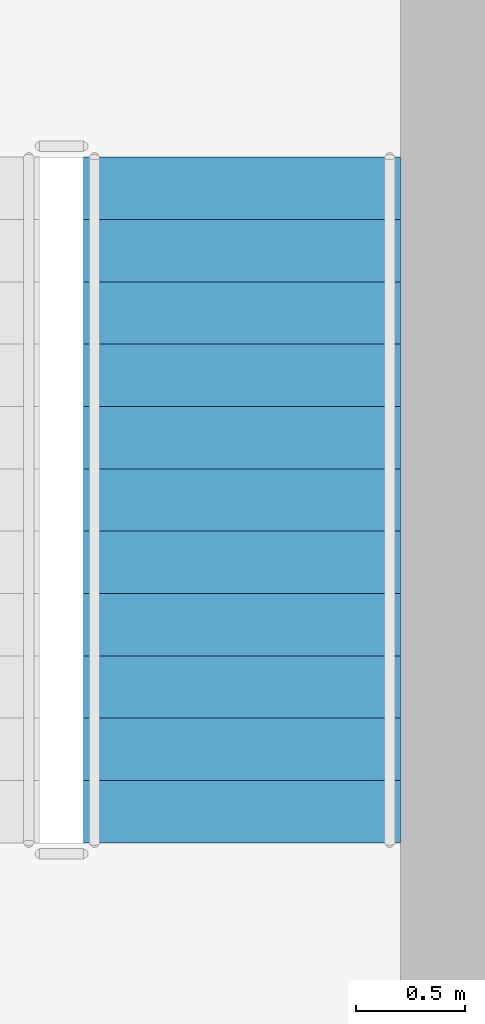
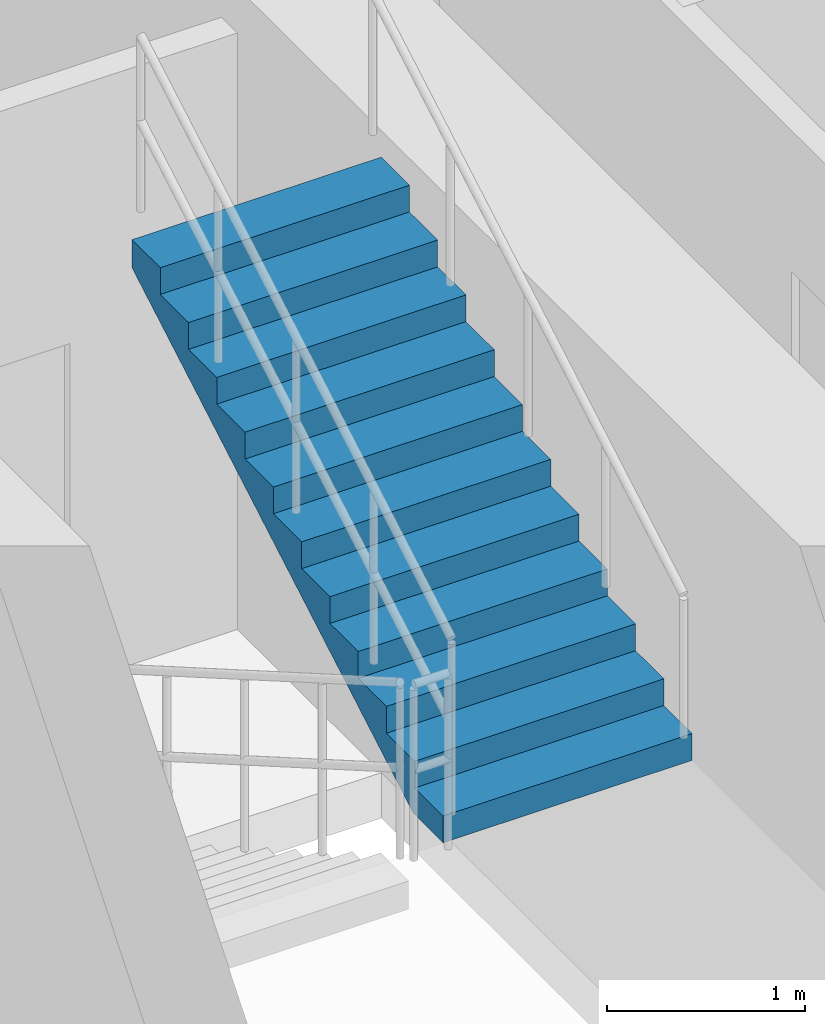
# One storey, part 24 of 26: 1 stair flight, 1 element without a shape of its own.
"""IFC4 building model written with IfcOpenShell, lengths in metres."""

from ifc_helpers import new_model, si_unit, direction, frame, origin, place, context, subcontext, project, spatial, polyline, outline, extrude, material, type_object, element, aggregate, save


model = new_model("IFC4")

# Units and contexts
model_context = context("Model", 3, precision=1e-05, world=origin(), true_north=direction((0.0, 1.0)))
body_context = subcontext(model_context, "Body", "Model", "MODEL_VIEW")
ifc_project = project(units=[si_unit("LENGTHUNIT", "METRE"), si_unit("AREAUNIT", "SQUARE_METRE"), si_unit("VOLUMEUNIT", "CUBIC_METRE"), si_unit("PLANEANGLEUNIT", "RADIAN"), si_unit("MASSUNIT", "GRAM", prefix="KILO")], contexts=[model_context])

# Site, building, storey
site_placement = place(None, origin())
site = spatial("IfcSite", under=ifc_project, at=site_placement, CompositionType="ELEMENT")
building_placement = place(site_placement, origin())
building = spatial("IfcBuilding", under=site, at=building_placement, Name="Krantzveldt Concourse Tower", CompositionType="ELEMENT")
storey_placement = place(building_placement, frame((0.0, 0.0, 113.75)))
storey = spatial("IfcBuildingStorey", under=building, at=storey_placement, Name="L27", CompositionType="ELEMENT", Elevation=113.75)

# Stair, stair flight
ifc_material = material(Name="Precast concrete C40/50", Category="concrete")
stair_type = type_object("IfcStairType", Name="STR-CORE-DOGLEG", PredefinedType="HALF_TURN_STAIR", material=ifc_material)
stair_placement = place(storey_placement, origin())
stair = element("IfcStair", 1, at=stair_placement, inside=storey, type_object=stair_type, Name="L27 Protected Escape Stair ST-2", PredefinedType="HALF_TURN_STAIR")
stair_flight_type = type_object("IfcStairFlightType", Name="STF-CORE-1450", PredefinedType="STRAIGHT", material=ifc_material)
stair_flight_placement = place(storey_placement, frame((42.39501953125, 16.4150390625, 1.97509765625), z_axis=(0.0, 0.0, 1.0), x_axis=(0.0, 1.0, 0.0)))
stair_flight = element("IfcStairFlight", 2, at=stair_flight_placement, type_object=stair_flight_type, Name="ST-2 flight 2", NumberOfRisers=12, NumberOfTreads=11, PredefinedType="STRAIGHT", RiserHeight=0.164583333, TreadLength=0.285, context=body_context, shape_type="SweptSolid", body=[
    extrude(outline(polyline([(0.0, 0.0), (0.0, 0.16455078125), (0.284912109375, 0.16455078125), (0.284912109375, 0.3291015625), (0.570068359375, 0.3291015625), (0.570068359375, 0.49365234375), (0.85498046875, 0.49365234375), (0.85498046875, 0.658447265625), (1.139892578125, 0.658447265625), (1.139892578125, 0.822998046875), (1.425048828125, 0.822998046875), (1.425048828125, 0.987548828125), (1.7099609375, 0.987548828125), (1.7099609375, 1.152099609375), (1.9951171875, 1.152099609375), (1.9951171875, 1.316650390625), (2.280029296875, 1.316650390625), (2.280029296875, 1.481201171875), (2.56494140625, 1.481201171875), (2.56494140625, 1.645751953125), (2.85009765625, 1.645751953125), (2.85009765625, 1.810302734375), (3.135009765625, 1.810302734375), (3.135009765625, 1.97509765625), (3.135009765625, 1.63720703125), (0.2998046875, 0.0), (0.0, 0.0)])), frame((0.0, 0.72509765625, 0.0), z_axis=(0.0, -1.0, 0.0), x_axis=(1.0, 0.0, 0.0)), (0.0, 0.0, 1.0), 1.449951171875),
])
aggregate(stair, [stair_flight])

save(model, "model.ifc")
